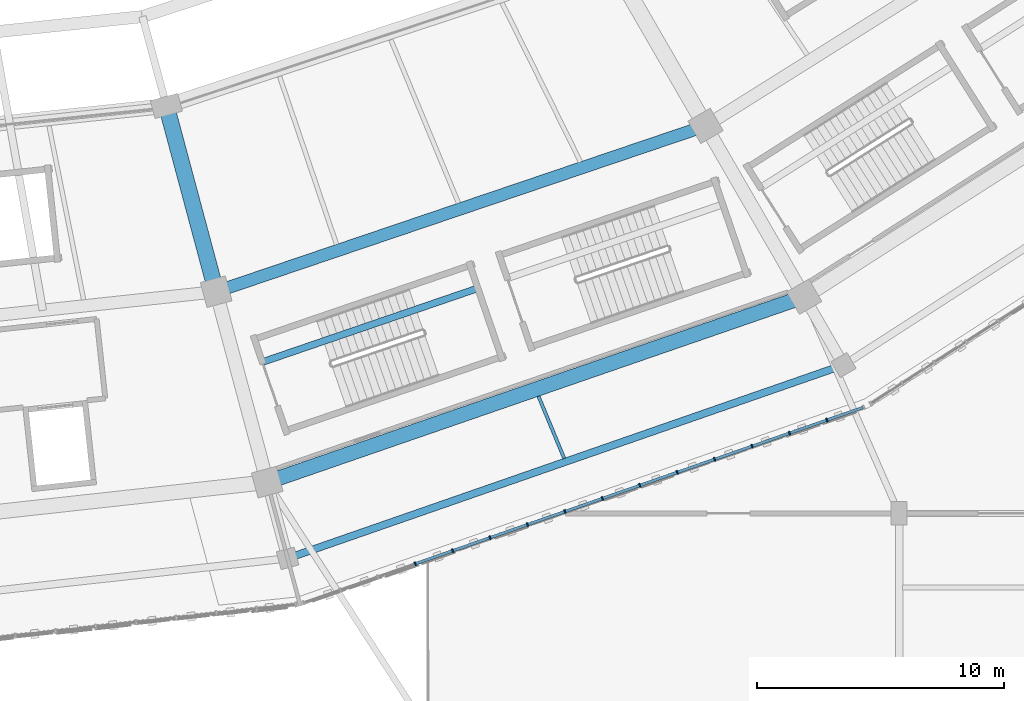
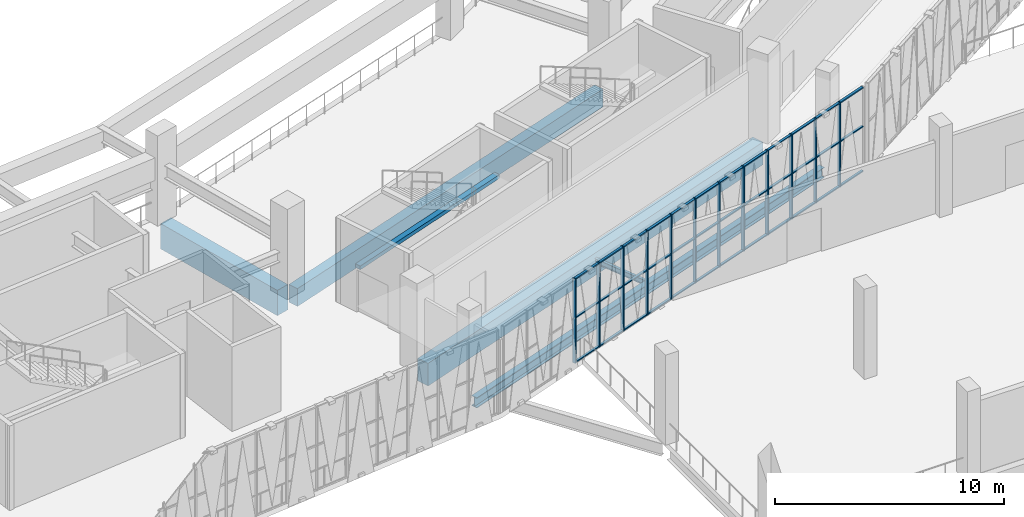
# One storey, part 28 of 179: 48 members, 6 beams, 1 element without a shape of its own.
"""IFC4 building model written with IfcOpenShell, lengths in metres."""

from ifc_helpers import new_model, si_unit, direction, frame, origin, origin_2d, place, context, subcontext, project, spatial, rectangle, i_section, extrude, material, material_profile, profile_set, type_object, element, aggregate, save


model = new_model("IFC4")

# Units and contexts
model_context = context("Model", 3, precision=1e-05, world=origin(), true_north=direction((0.0, 1.0)))
body_context = subcontext(model_context, "Body", "Model", "MODEL_VIEW")
ifc_project = project(units=[si_unit("LENGTHUNIT", "METRE"), si_unit("AREAUNIT", "SQUARE_METRE"), si_unit("VOLUMEUNIT", "CUBIC_METRE"), si_unit("PLANEANGLEUNIT", "RADIAN"), si_unit("MASSUNIT", "GRAM", prefix="KILO")], contexts=[model_context])

# Site, building, storey
site_placement = place(None, origin())
site = spatial("IfcSite", under=ifc_project, at=site_placement, CompositionType="ELEMENT")
building_placement = place(site_placement, origin())
building = spatial("IfcBuilding", under=site, at=building_placement, Name="Zevraka Park Crest Stadium", CompositionType="ELEMENT")
storey_placement = place(building_placement, frame((0.0, 0.0, 10.199951171875)))
storey = spatial("IfcBuildingStorey", under=building, at=storey_placement, Name="L02", CompositionType="ELEMENT", Elevation=10.199951171875)

# Beam
ifc_material_1 = material(Name="Concrete C40/50", Category="concrete")
ifc_material_profile_1 = material_profile(ifc_material_1, rectangle(XDim=0.64990234375, YDim=1.35009765625, at=origin_2d()), Name="RC 1350x650")
ifc_profile_set_1 = profile_set([ifc_material_profile_1], Name="Concrete C40/50")
beam_type_1 = type_object("IfcBeamType", Name="BG01", PredefinedType="BEAM", material=ifc_profile_set_1)
beam_1_placement = place(storey_placement, frame((131.360107421875, 34.237060546875, -0.68505859375), z_axis=(0.258747385792, -0.965945024495, 0.0), x_axis=(0.965945024495, 0.258747385792, 0.0)))
element("IfcBeam", 1, at=beam_1_placement, inside=storey, type_object=beam_type_1, Name="Radial Girder BG01 L02-BC-19", PredefinedType="BEAM", context=body_context, shape_type="SweptSolid", body=[
    extrude(rectangle(XDim=0.64990234375, YDim=1.35009765625, at=origin_2d()), origin(), (0.0, 0.0, 1.0), 7.19921875),
])

# Curtain wall, members
ifc_material_2 = material(Name="Anodised architectural aluminium and laminated safety glass", Category="aluminium")
curtain_wall_type = type_object("IfcCurtainWallType", Name="CW07", PredefinedType="NOTDEFINED", material=ifc_material_2)
curtain_wall_placement = place(storey_placement, origin())
curtain_wall = element("IfcCurtainWall", 2, at=curtain_wall_placement, inside=storey, type_object=curtain_wall_type, Name="Unitised Ring Curtain Wall CW07 L02-19", PredefinedType="NOTDEFINED")
ifc_material_3 = material(Name="Anodised architectural aluminium", Category="aluminium")
ifc_material_profile_2 = material_profile(ifc_material_3, rectangle(XDim=0.159912109375, YDim=0.06005859375, at=origin_2d()), Name="ALU MULLION 160x60")
ifc_profile_set_2 = profile_set([ifc_material_profile_2], Name="Anodised architectural aluminium")
member_type_1 = type_object("IfcMemberType", Name="CM01", PredefinedType="MULLION", material=ifc_profile_set_2)
member_1_placement = place(storey_placement, frame((141.376708984375, 15.954833984375, 0.0), z_axis=(0.0, 0.0, 1.0), x_axis=(-0.329618886002, 0.944114076789, 0.0)))
member_1 = element("IfcMember", 3, at=member_1_placement, type_object=member_type_1, Name="CW07 mullion 4", PredefinedType="MULLION", context=body_context, shape_type="SweptSolid", body=[
    extrude(rectangle(XDim=0.159912109375, YDim=0.06005859375, at=origin_2d()), origin(), (0.0, 0.0, 1.0), 4.5),
])
member_2_placement = place(storey_placement, frame((142.89453125, 16.484619140625, 0.0), z_axis=(0.0, 0.0, 1.0), x_axis=(-0.329618886002, 0.944114076789, 0.0)))
member_2 = element("IfcMember", 4, at=member_2_placement, type_object=member_type_1, Name="CW07 mullion 5", PredefinedType="MULLION", context=body_context, shape_type="SweptSolid", body=[
    extrude(rectangle(XDim=0.159912109375, YDim=0.06005859375, at=origin_2d()), origin(), (0.0, 0.0, 1.0), 4.5),
])
member_3_placement = place(storey_placement, frame((144.412353515625, 17.0146484375, 0.0), z_axis=(0.0, 0.0, 1.0), x_axis=(-0.329618886002, 0.944114076789, 0.0)))
member_3 = element("IfcMember", 5, at=member_3_placement, type_object=member_type_1, Name="CW07 mullion 6", PredefinedType="MULLION", context=body_context, shape_type="SweptSolid", body=[
    extrude(rectangle(XDim=0.159912109375, YDim=0.06005859375, at=origin_2d()), origin(), (0.0, 0.0, 1.0), 4.5),
])
member_4_placement = place(storey_placement, frame((145.93017578125, 17.544677734375, 0.0), z_axis=(0.0, 0.0, 1.0), x_axis=(-0.329618886002, 0.944114076789, 0.0)))
member_4 = element("IfcMember", 6, at=member_4_placement, type_object=member_type_1, Name="CW07 mullion 7", PredefinedType="MULLION", context=body_context, shape_type="SweptSolid", body=[
    extrude(rectangle(XDim=0.159912109375, YDim=0.06005859375, at=origin_2d()), origin(), (0.0, 0.0, 1.0), 4.5),
])
member_5_placement = place(storey_placement, frame((147.447998046875, 18.074462890625, 0.0), z_axis=(0.0, 0.0, 1.0), x_axis=(-0.329618886002, 0.944114076789, 0.0)))
member_5 = element("IfcMember", 7, at=member_5_placement, type_object=member_type_1, Name="CW07 mullion 8", PredefinedType="MULLION", context=body_context, shape_type="SweptSolid", body=[
    extrude(rectangle(XDim=0.159912109375, YDim=0.06005859375, at=origin_2d()), origin(), (0.0, 0.0, 1.0), 4.5),
])
member_6_placement = place(storey_placement, frame((148.9658203125, 18.6044921875, 0.0), z_axis=(0.0, 0.0, 1.0), x_axis=(-0.329618886002, 0.944114076789, 0.0)))
member_6 = element("IfcMember", 8, at=member_6_placement, type_object=member_type_1, Name="CW07 mullion 9", PredefinedType="MULLION", context=body_context, shape_type="SweptSolid", body=[
    extrude(rectangle(XDim=0.159912109375, YDim=0.06005859375, at=origin_2d()), origin(), (0.0, 0.0, 1.0), 4.5),
])
member_7_placement = place(storey_placement, frame((150.48388671875, 19.134521484375, 0.0), z_axis=(0.0, 0.0, 1.0), x_axis=(-0.329618886002, 0.944114076789, 0.0)))
member_7 = element("IfcMember", 9, at=member_7_placement, type_object=member_type_1, Name="CW07 mullion 10", PredefinedType="MULLION", context=body_context, shape_type="SweptSolid", body=[
    extrude(rectangle(XDim=0.159912109375, YDim=0.06005859375, at=origin_2d()), origin(), (0.0, 0.0, 1.0), 4.5),
])
member_8_placement = place(storey_placement, frame((152.001708984375, 19.664306640625, 0.0), z_axis=(0.0, 0.0, 1.0), x_axis=(-0.329618886002, 0.944114076789, 0.0)))
member_8 = element("IfcMember", 10, at=member_8_placement, type_object=member_type_1, Name="CW07 mullion 11", PredefinedType="MULLION", context=body_context, shape_type="SweptSolid", body=[
    extrude(rectangle(XDim=0.159912109375, YDim=0.06005859375, at=origin_2d()), origin(), (0.0, 0.0, 1.0), 4.5),
])
member_9_placement = place(storey_placement, frame((153.51953125, 20.1943359375, 0.0), z_axis=(0.0, 0.0, 1.0), x_axis=(-0.329618886002, 0.944114076789, 0.0)))
member_9 = element("IfcMember", 11, at=member_9_placement, type_object=member_type_1, Name="CW07 mullion 12", PredefinedType="MULLION", context=body_context, shape_type="SweptSolid", body=[
    extrude(rectangle(XDim=0.159912109375, YDim=0.06005859375, at=origin_2d()), origin(), (0.0, 0.0, 1.0), 4.5),
])
member_10_placement = place(storey_placement, frame((155.037353515625, 20.72412109375, 0.0), z_axis=(0.0, 0.0, 1.0), x_axis=(-0.329618886002, 0.944114076789, 0.0)))
member_10 = element("IfcMember", 12, at=member_10_placement, type_object=member_type_1, Name="CW07 mullion 13", PredefinedType="MULLION", context=body_context, shape_type="SweptSolid", body=[
    extrude(rectangle(XDim=0.159912109375, YDim=0.06005859375, at=origin_2d()), origin(), (0.0, 0.0, 1.0), 4.5),
])
member_11_placement = place(storey_placement, frame((156.55517578125, 21.254150390625, 0.0), z_axis=(0.0, 0.0, 1.0), x_axis=(-0.329618886002, 0.944114076789, 0.0)))
member_11 = element("IfcMember", 13, at=member_11_placement, type_object=member_type_1, Name="CW07 mullion 14", PredefinedType="MULLION", context=body_context, shape_type="SweptSolid", body=[
    extrude(rectangle(XDim=0.159912109375, YDim=0.06005859375, at=origin_2d()), origin(), (0.0, 0.0, 1.0), 4.5),
])
member_12_placement = place(storey_placement, frame((158.0732421875, 21.7841796875, 0.0), z_axis=(0.0, 0.0, 1.0), x_axis=(-0.329618886002, 0.944114076789, 0.0)))
member_12 = element("IfcMember", 14, at=member_12_placement, type_object=member_type_1, Name="CW07 mullion 15", PredefinedType="MULLION", context=body_context, shape_type="SweptSolid", body=[
    extrude(rectangle(XDim=0.159912109375, YDim=0.06005859375, at=origin_2d()), origin(), (0.0, 0.0, 1.0), 4.5),
])
ifc_material_4 = material(Name="Anodised architectural aluminium", Category="aluminium")
ifc_material_profile_3 = material_profile(ifc_material_4, rectangle(XDim=0.1201171875, YDim=0.06005859375, at=origin_2d()), Name="ALU TRANSOM 120x60")
ifc_profile_set_3 = profile_set([ifc_material_profile_3], Name="Anodised architectural aluminium")
member_type_2 = type_object("IfcMemberType", Name="CT01", PredefinedType="USERDEFINED", material=ifc_profile_set_3)
member_13_placement = place(storey_placement, frame((141.405029296875, 15.964599609375, 0.030029296875), z_axis=(0.944091748578, 0.329682832837, 0.0), x_axis=(-0.329682832837, 0.944091748578, 0.0)))
member_13 = element("IfcMember", 15, at=member_13_placement, type_object=member_type_2, Name="CW07 transom 4.1", ObjectType="TRANSOM", PredefinedType="USERDEFINED", context=body_context, shape_type="SweptSolid", body=[
    extrude(rectangle(XDim=0.1201171875, YDim=0.06005859375, at=origin_2d()), origin(), (0.0, 0.0, 1.0), 1.547607421875),
])
member_14_placement = place(storey_placement, frame((141.405029296875, 15.964599609375, 2.400146484375), z_axis=(0.944091748578, 0.329682832837, 0.0), x_axis=(-0.329682832837, 0.944091748578, 0.0)))
member_14 = element("IfcMember", 16, at=member_14_placement, type_object=member_type_2, Name="CW07 transom 4.2", ObjectType="TRANSOM", PredefinedType="USERDEFINED", context=body_context, shape_type="SweptSolid", body=[
    extrude(rectangle(XDim=0.1201171875, YDim=0.06005859375, at=origin_2d()), origin(), (0.0, 0.0, 1.0), 1.547607421875),
])
member_15_placement = place(storey_placement, frame((141.405029296875, 15.964599609375, 4.469970703125), z_axis=(0.944091748578, 0.329682832837, 0.0), x_axis=(-0.329682832837, 0.944091748578, 0.0)))
member_15 = element("IfcMember", 17, at=member_15_placement, type_object=member_type_2, Name="CW07 transom 4.3", ObjectType="TRANSOM", PredefinedType="USERDEFINED", context=body_context, shape_type="SweptSolid", body=[
    extrude(rectangle(XDim=0.1201171875, YDim=0.06005859375, at=origin_2d()), origin(), (0.0, 0.0, 1.0), 1.547607421875),
])
member_16_placement = place(storey_placement, frame((142.9228515625, 16.49462890625, 0.030029296875), z_axis=(0.944091748578, 0.329682832837, 0.0), x_axis=(-0.329682832837, 0.944091748578, 0.0)))
member_16 = element("IfcMember", 18, at=member_16_placement, type_object=member_type_2, Name="CW07 transom 5.1", ObjectType="TRANSOM", PredefinedType="USERDEFINED", context=body_context, shape_type="SweptSolid", body=[
    extrude(rectangle(XDim=0.1201171875, YDim=0.06005859375, at=origin_2d()), origin(), (0.0, 0.0, 1.0), 1.547607421875),
])
member_17_placement = place(storey_placement, frame((142.9228515625, 16.49462890625, 2.400146484375), z_axis=(0.944091748578, 0.329682832837, 0.0), x_axis=(-0.329682832837, 0.944091748578, 0.0)))
member_17 = element("IfcMember", 19, at=member_17_placement, type_object=member_type_2, Name="CW07 transom 5.2", ObjectType="TRANSOM", PredefinedType="USERDEFINED", context=body_context, shape_type="SweptSolid", body=[
    extrude(rectangle(XDim=0.1201171875, YDim=0.06005859375, at=origin_2d()), origin(), (0.0, 0.0, 1.0), 1.547607421875),
])
member_18_placement = place(storey_placement, frame((142.9228515625, 16.49462890625, 4.469970703125), z_axis=(0.944091748578, 0.329682832837, 0.0), x_axis=(-0.329682832837, 0.944091748578, 0.0)))
member_18 = element("IfcMember", 20, at=member_18_placement, type_object=member_type_2, Name="CW07 transom 5.3", ObjectType="TRANSOM", PredefinedType="USERDEFINED", context=body_context, shape_type="SweptSolid", body=[
    extrude(rectangle(XDim=0.1201171875, YDim=0.06005859375, at=origin_2d()), origin(), (0.0, 0.0, 1.0), 1.547607421875),
])
member_19_placement = place(storey_placement, frame((144.440673828125, 17.024658203125, 0.030029296875), z_axis=(0.944140838297, 0.329542224094, 0.0), x_axis=(-0.329542224094, 0.944140838297, 0.0)))
member_19 = element("IfcMember", 21, at=member_19_placement, type_object=member_type_2, Name="CW07 transom 6.1", ObjectType="TRANSOM", PredefinedType="USERDEFINED", context=body_context, shape_type="SweptSolid", body=[
    extrude(rectangle(XDim=0.1201171875, YDim=0.06005859375, at=origin_2d()), origin(), (0.0, 0.0, 1.0), 1.547607421875),
])
member_20_placement = place(storey_placement, frame((144.440673828125, 17.024658203125, 2.400146484375), z_axis=(0.944140838297, 0.329542224094, 0.0), x_axis=(-0.329542224094, 0.944140838297, 0.0)))
member_20 = element("IfcMember", 22, at=member_20_placement, type_object=member_type_2, Name="CW07 transom 6.2", ObjectType="TRANSOM", PredefinedType="USERDEFINED", context=body_context, shape_type="SweptSolid", body=[
    extrude(rectangle(XDim=0.1201171875, YDim=0.06005859375, at=origin_2d()), origin(), (0.0, 0.0, 1.0), 1.547607421875),
])
member_21_placement = place(storey_placement, frame((144.440673828125, 17.024658203125, 4.469970703125), z_axis=(0.944140838297, 0.329542224094, 0.0), x_axis=(-0.329542224094, 0.944140838297, 0.0)))
member_21 = element("IfcMember", 23, at=member_21_placement, type_object=member_type_2, Name="CW07 transom 6.3", ObjectType="TRANSOM", PredefinedType="USERDEFINED", context=body_context, shape_type="SweptSolid", body=[
    extrude(rectangle(XDim=0.1201171875, YDim=0.06005859375, at=origin_2d()), origin(), (0.0, 0.0, 1.0), 1.547607421875),
])
member_22_placement = place(storey_placement, frame((145.95849609375, 17.554443359375, 0.030029296875), z_axis=(0.944091748578, 0.329682832837, 0.0), x_axis=(-0.329682832837, 0.944091748578, 0.0)))
member_22 = element("IfcMember", 24, at=member_22_placement, type_object=member_type_2, Name="CW07 transom 7.1", ObjectType="TRANSOM", PredefinedType="USERDEFINED", context=body_context, shape_type="SweptSolid", body=[
    extrude(rectangle(XDim=0.1201171875, YDim=0.06005859375, at=origin_2d()), origin(), (0.0, 0.0, 1.0), 1.547607421875),
])
member_23_placement = place(storey_placement, frame((145.95849609375, 17.554443359375, 2.400146484375), z_axis=(0.944091748578, 0.329682832837, 0.0), x_axis=(-0.329682832837, 0.944091748578, 0.0)))
member_23 = element("IfcMember", 25, at=member_23_placement, type_object=member_type_2, Name="CW07 transom 7.2", ObjectType="TRANSOM", PredefinedType="USERDEFINED", context=body_context, shape_type="SweptSolid", body=[
    extrude(rectangle(XDim=0.1201171875, YDim=0.06005859375, at=origin_2d()), origin(), (0.0, 0.0, 1.0), 1.547607421875),
])
member_24_placement = place(storey_placement, frame((145.95849609375, 17.554443359375, 4.469970703125), z_axis=(0.944091748578, 0.329682832837, 0.0), x_axis=(-0.329682832837, 0.944091748578, 0.0)))
member_24 = element("IfcMember", 26, at=member_24_placement, type_object=member_type_2, Name="CW07 transom 7.3", ObjectType="TRANSOM", PredefinedType="USERDEFINED", context=body_context, shape_type="SweptSolid", body=[
    extrude(rectangle(XDim=0.1201171875, YDim=0.06005859375, at=origin_2d()), origin(), (0.0, 0.0, 1.0), 1.547607421875),
])
member_25_placement = place(storey_placement, frame((147.476318359375, 18.08447265625, 0.030029296875), z_axis=(0.944140838297, 0.329542224094, 0.0), x_axis=(-0.329542224094, 0.944140838297, 0.0)))
member_25 = element("IfcMember", 27, at=member_25_placement, type_object=member_type_2, Name="CW07 transom 8.1", ObjectType="TRANSOM", PredefinedType="USERDEFINED", context=body_context, shape_type="SweptSolid", body=[
    extrude(rectangle(XDim=0.1201171875, YDim=0.06005859375, at=origin_2d()), origin(), (0.0, 0.0, 1.0), 1.547607421875),
])
member_26_placement = place(storey_placement, frame((147.476318359375, 18.08447265625, 2.400146484375), z_axis=(0.944140838297, 0.329542224094, 0.0), x_axis=(-0.329542224094, 0.944140838297, 0.0)))
member_26 = element("IfcMember", 28, at=member_26_placement, type_object=member_type_2, Name="CW07 transom 8.2", ObjectType="TRANSOM", PredefinedType="USERDEFINED", context=body_context, shape_type="SweptSolid", body=[
    extrude(rectangle(XDim=0.1201171875, YDim=0.06005859375, at=origin_2d()), origin(), (0.0, 0.0, 1.0), 1.547607421875),
])
member_27_placement = place(storey_placement, frame((147.476318359375, 18.08447265625, 4.469970703125), z_axis=(0.944140838297, 0.329542224094, 0.0), x_axis=(-0.329542224094, 0.944140838297, 0.0)))
member_27 = element("IfcMember", 29, at=member_27_placement, type_object=member_type_2, Name="CW07 transom 8.3", ObjectType="TRANSOM", PredefinedType="USERDEFINED", context=body_context, shape_type="SweptSolid", body=[
    extrude(rectangle(XDim=0.1201171875, YDim=0.06005859375, at=origin_2d()), origin(), (0.0, 0.0, 1.0), 1.547607421875),
])
member_28_placement = place(storey_placement, frame((148.994140625, 18.6142578125, 0.030029296875), z_axis=(0.944108889955, 0.329633742066, 0.0), x_axis=(-0.329633742066, 0.944108889955, 0.0)))
member_28 = element("IfcMember", 30, at=member_28_placement, type_object=member_type_2, Name="CW07 transom 9.1", ObjectType="TRANSOM", PredefinedType="USERDEFINED", context=body_context, shape_type="SweptSolid", body=[
    extrude(rectangle(XDim=0.1201171875, YDim=0.06005859375, at=origin_2d()), origin(), (0.0, 0.0, 1.0), 1.5478515625),
])
member_29_placement = place(storey_placement, frame((148.994140625, 18.6142578125, 2.400146484375), z_axis=(0.944108889955, 0.329633742066, 0.0), x_axis=(-0.329633742066, 0.944108889955, 0.0)))
member_29 = element("IfcMember", 31, at=member_29_placement, type_object=member_type_2, Name="CW07 transom 9.2", ObjectType="TRANSOM", PredefinedType="USERDEFINED", context=body_context, shape_type="SweptSolid", body=[
    extrude(rectangle(XDim=0.1201171875, YDim=0.06005859375, at=origin_2d()), origin(), (0.0, 0.0, 1.0), 1.5478515625),
])
member_30_placement = place(storey_placement, frame((148.994140625, 18.6142578125, 4.469970703125), z_axis=(0.944108889955, 0.329633742066, 0.0), x_axis=(-0.329633742066, 0.944108889955, 0.0)))
member_30 = element("IfcMember", 32, at=member_30_placement, type_object=member_type_2, Name="CW07 transom 9.3", ObjectType="TRANSOM", PredefinedType="USERDEFINED", context=body_context, shape_type="SweptSolid", body=[
    extrude(rectangle(XDim=0.1201171875, YDim=0.06005859375, at=origin_2d()), origin(), (0.0, 0.0, 1.0), 1.5478515625),
])
member_31_placement = place(storey_placement, frame((150.51220703125, 19.144287109375, 0.030029296875), z_axis=(0.944091748578, 0.329682832837, 0.0), x_axis=(-0.329682832837, 0.944091748578, 0.0)))
member_31 = element("IfcMember", 33, at=member_31_placement, type_object=member_type_2, Name="CW07 transom 10.1", ObjectType="TRANSOM", PredefinedType="USERDEFINED", context=body_context, shape_type="SweptSolid", body=[
    extrude(rectangle(XDim=0.1201171875, YDim=0.06005859375, at=origin_2d()), origin(), (0.0, 0.0, 1.0), 1.547607421875),
])
member_32_placement = place(storey_placement, frame((150.51220703125, 19.144287109375, 2.400146484375), z_axis=(0.944091748578, 0.329682832837, 0.0), x_axis=(-0.329682832837, 0.944091748578, 0.0)))
member_32 = element("IfcMember", 34, at=member_32_placement, type_object=member_type_2, Name="CW07 transom 10.2", ObjectType="TRANSOM", PredefinedType="USERDEFINED", context=body_context, shape_type="SweptSolid", body=[
    extrude(rectangle(XDim=0.1201171875, YDim=0.06005859375, at=origin_2d()), origin(), (0.0, 0.0, 1.0), 1.547607421875),
])
member_33_placement = place(storey_placement, frame((150.51220703125, 19.144287109375, 4.469970703125), z_axis=(0.944091748578, 0.329682832837, 0.0), x_axis=(-0.329682832837, 0.944091748578, 0.0)))
member_33 = element("IfcMember", 35, at=member_33_placement, type_object=member_type_2, Name="CW07 transom 10.3", ObjectType="TRANSOM", PredefinedType="USERDEFINED", context=body_context, shape_type="SweptSolid", body=[
    extrude(rectangle(XDim=0.1201171875, YDim=0.06005859375, at=origin_2d()), origin(), (0.0, 0.0, 1.0), 1.547607421875),
])
member_34_placement = place(storey_placement, frame((152.030029296875, 19.67431640625, 0.030029296875), z_axis=(0.944140838297, 0.329542224094, 0.0), x_axis=(-0.329542224094, 0.944140838297, 0.0)))
member_34 = element("IfcMember", 36, at=member_34_placement, type_object=member_type_2, Name="CW07 transom 11.1", ObjectType="TRANSOM", PredefinedType="USERDEFINED", context=body_context, shape_type="SweptSolid", body=[
    extrude(rectangle(XDim=0.1201171875, YDim=0.06005859375, at=origin_2d()), origin(), (0.0, 0.0, 1.0), 1.547607421875),
])
member_35_placement = place(storey_placement, frame((152.030029296875, 19.67431640625, 2.400146484375), z_axis=(0.944140838297, 0.329542224094, 0.0), x_axis=(-0.329542224094, 0.944140838297, 0.0)))
member_35 = element("IfcMember", 37, at=member_35_placement, type_object=member_type_2, Name="CW07 transom 11.2", ObjectType="TRANSOM", PredefinedType="USERDEFINED", context=body_context, shape_type="SweptSolid", body=[
    extrude(rectangle(XDim=0.1201171875, YDim=0.06005859375, at=origin_2d()), origin(), (0.0, 0.0, 1.0), 1.547607421875),
])
member_36_placement = place(storey_placement, frame((152.030029296875, 19.67431640625, 4.469970703125), z_axis=(0.944140838297, 0.329542224094, 0.0), x_axis=(-0.329542224094, 0.944140838297, 0.0)))
member_36 = element("IfcMember", 38, at=member_36_placement, type_object=member_type_2, Name="CW07 transom 11.3", ObjectType="TRANSOM", PredefinedType="USERDEFINED", context=body_context, shape_type="SweptSolid", body=[
    extrude(rectangle(XDim=0.1201171875, YDim=0.06005859375, at=origin_2d()), origin(), (0.0, 0.0, 1.0), 1.547607421875),
])
member_37_placement = place(storey_placement, frame((153.5478515625, 20.2041015625, 0.030029296875), z_axis=(0.944091748578, 0.329682832837, 0.0), x_axis=(-0.329682832837, 0.944091748578, 0.0)))
member_37 = element("IfcMember", 39, at=member_37_placement, type_object=member_type_2, Name="CW07 transom 12.1", ObjectType="TRANSOM", PredefinedType="USERDEFINED", context=body_context, shape_type="SweptSolid", body=[
    extrude(rectangle(XDim=0.1201171875, YDim=0.06005859375, at=origin_2d()), origin(), (0.0, 0.0, 1.0), 1.547607421875),
])
member_38_placement = place(storey_placement, frame((153.5478515625, 20.2041015625, 2.400146484375), z_axis=(0.944091748578, 0.329682832837, 0.0), x_axis=(-0.329682832837, 0.944091748578, 0.0)))
member_38 = element("IfcMember", 40, at=member_38_placement, type_object=member_type_2, Name="CW07 transom 12.2", ObjectType="TRANSOM", PredefinedType="USERDEFINED", context=body_context, shape_type="SweptSolid", body=[
    extrude(rectangle(XDim=0.1201171875, YDim=0.06005859375, at=origin_2d()), origin(), (0.0, 0.0, 1.0), 1.547607421875),
])
member_39_placement = place(storey_placement, frame((153.5478515625, 20.2041015625, 4.469970703125), z_axis=(0.944091748578, 0.329682832837, 0.0), x_axis=(-0.329682832837, 0.944091748578, 0.0)))
member_39 = element("IfcMember", 41, at=member_39_placement, type_object=member_type_2, Name="CW07 transom 12.3", ObjectType="TRANSOM", PredefinedType="USERDEFINED", context=body_context, shape_type="SweptSolid", body=[
    extrude(rectangle(XDim=0.1201171875, YDim=0.06005859375, at=origin_2d()), origin(), (0.0, 0.0, 1.0), 1.547607421875),
])
member_40_placement = place(storey_placement, frame((155.065673828125, 20.734130859375, 0.030029296875), z_axis=(0.944140838297, 0.329542224094, 0.0), x_axis=(-0.329542224094, 0.944140838297, 0.0)))
member_40 = element("IfcMember", 42, at=member_40_placement, type_object=member_type_2, Name="CW07 transom 13.1", ObjectType="TRANSOM", PredefinedType="USERDEFINED", context=body_context, shape_type="SweptSolid", body=[
    extrude(rectangle(XDim=0.1201171875, YDim=0.06005859375, at=origin_2d()), origin(), (0.0, 0.0, 1.0), 1.547607421875),
])
member_41_placement = place(storey_placement, frame((155.065673828125, 20.734130859375, 2.400146484375), z_axis=(0.944140838297, 0.329542224094, 0.0), x_axis=(-0.329542224094, 0.944140838297, 0.0)))
member_41 = element("IfcMember", 43, at=member_41_placement, type_object=member_type_2, Name="CW07 transom 13.2", ObjectType="TRANSOM", PredefinedType="USERDEFINED", context=body_context, shape_type="SweptSolid", body=[
    extrude(rectangle(XDim=0.1201171875, YDim=0.06005859375, at=origin_2d()), origin(), (0.0, 0.0, 1.0), 1.547607421875),
])
member_42_placement = place(storey_placement, frame((155.065673828125, 20.734130859375, 4.469970703125), z_axis=(0.944140838297, 0.329542224094, 0.0), x_axis=(-0.329542224094, 0.944140838297, 0.0)))
member_42 = element("IfcMember", 44, at=member_42_placement, type_object=member_type_2, Name="CW07 transom 13.3", ObjectType="TRANSOM", PredefinedType="USERDEFINED", context=body_context, shape_type="SweptSolid", body=[
    extrude(rectangle(XDim=0.1201171875, YDim=0.06005859375, at=origin_2d()), origin(), (0.0, 0.0, 1.0), 1.547607421875),
])
member_43_placement = place(storey_placement, frame((156.58349609375, 21.263916015625, 0.030029296875), z_axis=(0.944108889955, 0.329633742066, 0.0), x_axis=(-0.329633742066, 0.944108889955, 0.0)))
member_43 = element("IfcMember", 45, at=member_43_placement, type_object=member_type_2, Name="CW07 transom 14.1", ObjectType="TRANSOM", PredefinedType="USERDEFINED", context=body_context, shape_type="SweptSolid", body=[
    extrude(rectangle(XDim=0.1201171875, YDim=0.06005859375, at=origin_2d()), origin(), (0.0, 0.0, 1.0), 1.5478515625),
])
member_44_placement = place(storey_placement, frame((156.58349609375, 21.263916015625, 2.400146484375), z_axis=(0.944108889955, 0.329633742066, 0.0), x_axis=(-0.329633742066, 0.944108889955, 0.0)))
member_44 = element("IfcMember", 46, at=member_44_placement, type_object=member_type_2, Name="CW07 transom 14.2", ObjectType="TRANSOM", PredefinedType="USERDEFINED", context=body_context, shape_type="SweptSolid", body=[
    extrude(rectangle(XDim=0.1201171875, YDim=0.06005859375, at=origin_2d()), origin(), (0.0, 0.0, 1.0), 1.5478515625),
])
member_45_placement = place(storey_placement, frame((156.58349609375, 21.263916015625, 4.469970703125), z_axis=(0.944108889955, 0.329633742066, 0.0), x_axis=(-0.329633742066, 0.944108889955, 0.0)))
member_45 = element("IfcMember", 47, at=member_45_placement, type_object=member_type_2, Name="CW07 transom 14.3", ObjectType="TRANSOM", PredefinedType="USERDEFINED", context=body_context, shape_type="SweptSolid", body=[
    extrude(rectangle(XDim=0.1201171875, YDim=0.06005859375, at=origin_2d()), origin(), (0.0, 0.0, 1.0), 1.5478515625),
])
member_46_placement = place(storey_placement, frame((158.1015625, 21.7939453125, 0.030029296875), z_axis=(0.944116383241, 0.329612279649, 0.0), x_axis=(-0.329612279649, 0.944116383241, 0.0)))
member_46 = element("IfcMember", 48, at=member_46_placement, type_object=member_type_2, Name="CW07 transom 15.1", ObjectType="TRANSOM", PredefinedType="USERDEFINED", context=body_context, shape_type="SweptSolid", body=[
    extrude(rectangle(XDim=0.1201171875, YDim=0.06005859375, at=origin_2d()), origin(), (0.0, 0.0, 1.0), 1.517578125),
])
member_47_placement = place(storey_placement, frame((158.1015625, 21.7939453125, 2.400146484375), z_axis=(0.944116383241, 0.329612279649, 0.0), x_axis=(-0.329612279649, 0.944116383241, 0.0)))
member_47 = element("IfcMember", 49, at=member_47_placement, type_object=member_type_2, Name="CW07 transom 15.2", ObjectType="TRANSOM", PredefinedType="USERDEFINED", context=body_context, shape_type="SweptSolid", body=[
    extrude(rectangle(XDim=0.1201171875, YDim=0.06005859375, at=origin_2d()), origin(), (0.0, 0.0, 1.0), 1.517578125),
])
member_48_placement = place(storey_placement, frame((158.1015625, 21.7939453125, 4.469970703125), z_axis=(0.944116383241, 0.329612279649, 0.0), x_axis=(-0.329612279649, 0.944116383241, 0.0)))
member_48 = element("IfcMember", 50, at=member_48_placement, type_object=member_type_2, Name="CW07 transom 15.3", ObjectType="TRANSOM", PredefinedType="USERDEFINED", context=body_context, shape_type="SweptSolid", body=[
    extrude(rectangle(XDim=0.1201171875, YDim=0.06005859375, at=origin_2d()), origin(), (0.0, 0.0, 1.0), 1.517578125),
])
aggregate(curtain_wall, [member_1, member_2, member_3, member_4, member_5, member_6, member_7, member_8, member_9, member_10, member_11, member_12, member_13, member_14, member_15, member_16, member_17, member_18, member_19, member_20, member_21, member_22, member_23, member_24, member_25, member_26, member_27, member_28, member_29, member_30, member_31, member_32, member_33, member_34, member_35, member_36, member_37, member_38, member_39, member_40, member_41, member_42, member_43, member_44, member_45, member_46, member_47, member_48])

# Beams
ifc_material_5 = material(Name="Concrete C40/50", Category="concrete")
ifc_material_profile_4 = material_profile(ifc_material_5, rectangle(XDim=0.60009765625, YDim=1.199951171875, at=origin_2d()), Name="RC 1200x600")
ifc_profile_set_4 = profile_set([ifc_material_profile_4], Name="Concrete C40/50")
beam_type_2 = type_object("IfcBeamType", Name="RB01", PredefinedType="BEAM", material=ifc_profile_set_4)
beam_2_placement = place(storey_placement, frame((135.72998046875, 19.389892578125, -0.60986328125), z_axis=(0.945210431582, 0.326461697644, 0.0), x_axis=(-0.326461697644, 0.945210431582, 0.0)))
element("IfcBeam", 51, at=beam_2_placement, inside=storey, type_object=beam_type_2, Name="Ring Beam RB01 L02-D-19", PredefinedType="BEAM", context=body_context, shape_type="SweptSolid", body=[
    extrude(rectangle(XDim=0.60009765625, YDim=1.199951171875, at=origin_2d()), origin(), (0.0, 0.0, 1.0), 22.28173828125),
])
ifc_material_6 = material(Name="Concrete C40/50", Category="concrete")
ifc_material_profile_5 = material_profile(ifc_material_6, rectangle(XDim=0.5, YDim=0.949951171875, at=origin_2d()), Name="RC 950x500")
ifc_profile_set_5 = profile_set([ifc_material_profile_5], Name="Concrete C40/50")
beam_type_3 = type_object("IfcBeamType", Name="RB02", PredefinedType="BEAM", material=ifc_profile_set_5)
beam_3_placement = place(storey_placement, frame((133.660888671875, 27.114990234375, -0.48486328125), z_axis=(0.947147952377, 0.320797064058, 0.0), x_axis=(-0.320797064058, 0.947147952377, 0.0)))
element("IfcBeam", 52, at=beam_3_placement, inside=storey, type_object=beam_type_3, Name="Ring Beam RB02 L02-C-19", PredefinedType="BEAM", context=body_context, shape_type="SweptSolid", body=[
    extrude(rectangle(XDim=0.5, YDim=0.949951171875, at=origin_2d()), origin(), (0.0, 0.0, 1.0), 20.196533203125),
])
ifc_material_7 = material(Name="Steel S355", Category="steel")
ifc_material_profile_6 = material_profile(ifc_material_7, i_section(OverallWidth=0.300048828125, OverallDepth=0.550048828125, WebThickness=0.014892578125, FlangeThickness=0.029052734375, at=origin_2d()), Name="HEB 550")
ifc_profile_set_6 = profile_set([ifc_material_profile_6], Name="Steel S355")
beam_type_4 = type_object("IfcBeamType", Name="RB04", PredefinedType="BEAM", material=ifc_profile_set_6)
beam_4_placement = place(storey_placement, frame((136.531005859375, 16.2900390625, -0.5849609375), z_axis=(0.944512003331, 0.328476902634, 0.0), x_axis=(-0.328476902634, 0.944512003331, 0.0)))
element("IfcBeam", 53, at=beam_4_placement, inside=storey, type_object=beam_type_4, Name="Ring Beam RB04 L02-E-19", PredefinedType="BEAM", context=body_context, shape_type="SweptSolid", body=[
    extrude(i_section(OverallWidth=0.300048828125, OverallDepth=0.550048828125, WebThickness=0.014892578125, FlangeThickness=0.029052734375, at=origin_2d()), origin(), (0.0, 0.0, 1.0), 23.173828125),
])
ifc_material_8 = material(Name="Steel S355", Category="steel")
ifc_material_profile_7 = material_profile(ifc_material_8, i_section(OverallWidth=0.135009765625, OverallDepth=0.27001953125, WebThickness=0.006591796875, FlangeThickness=0.01025390625, at=origin_2d()), Name="IPE 270")
ifc_profile_set_7 = profile_set([ifc_material_profile_7], Name="Steel S355")
beam_type_5 = type_object("IfcBeamType", Name="SJ07", PredefinedType="JOIST", material=ifc_profile_set_7)
beam_5_placement = place(storey_placement, frame((146.373046875, 22.75390625, -0.4228515625), z_axis=(0.3828253139, -0.923820750491, 0.0), x_axis=(0.923820750491, 0.3828253139, 0.0)))
element("IfcBeam", 54, at=beam_5_placement, inside=storey, type_object=beam_type_5, Name="Floor Joist SJ07 L02-DE-19-1", PredefinedType="JOIST", context=body_context, shape_type="SweptSolid", body=[
    extrude(i_section(OverallWidth=0.135009765625, OverallDepth=0.27001953125, WebThickness=0.006591796875, FlangeThickness=0.01025390625, at=origin_2d()), origin(), (0.0, 0.0, 1.0), 2.73193359375),
])
ifc_material_9 = material(Name="Concrete C40/50", Category="concrete")
ifc_material_profile_8 = material_profile(ifc_material_9, rectangle(XDim=0.280029296875, YDim=0.199951171875, at=origin_2d()), Name="RC 200x280")
ifc_profile_set_8 = profile_set([ifc_material_profile_8], Name="Concrete C40/50")
beam_type_6 = type_object("IfcBeamType", Name="SJ13", PredefinedType="JOIST", material=ifc_profile_set_8)
beam_6_placement = place(storey_placement, frame((135.19677734375, 24.144287109375, 2.300048828125), z_axis=(0.946065027556, 0.323976794902, 0.0), x_axis=(-0.323976794902, 0.946065027556, 0.0)))
element("IfcBeam", 55, at=beam_6_placement, inside=storey, type_object=beam_type_6, Name="Stair Upper-Flight Longitudinal Stringer SJ13 ST20-L02", PredefinedType="JOIST", context=body_context, shape_type="SweptSolid", body=[
    extrude(rectangle(XDim=0.280029296875, YDim=0.199951171875, at=origin_2d()), origin(), (0.0, 0.0, 1.0), 9.250244140625),
])

save(model, "model.ifc")
